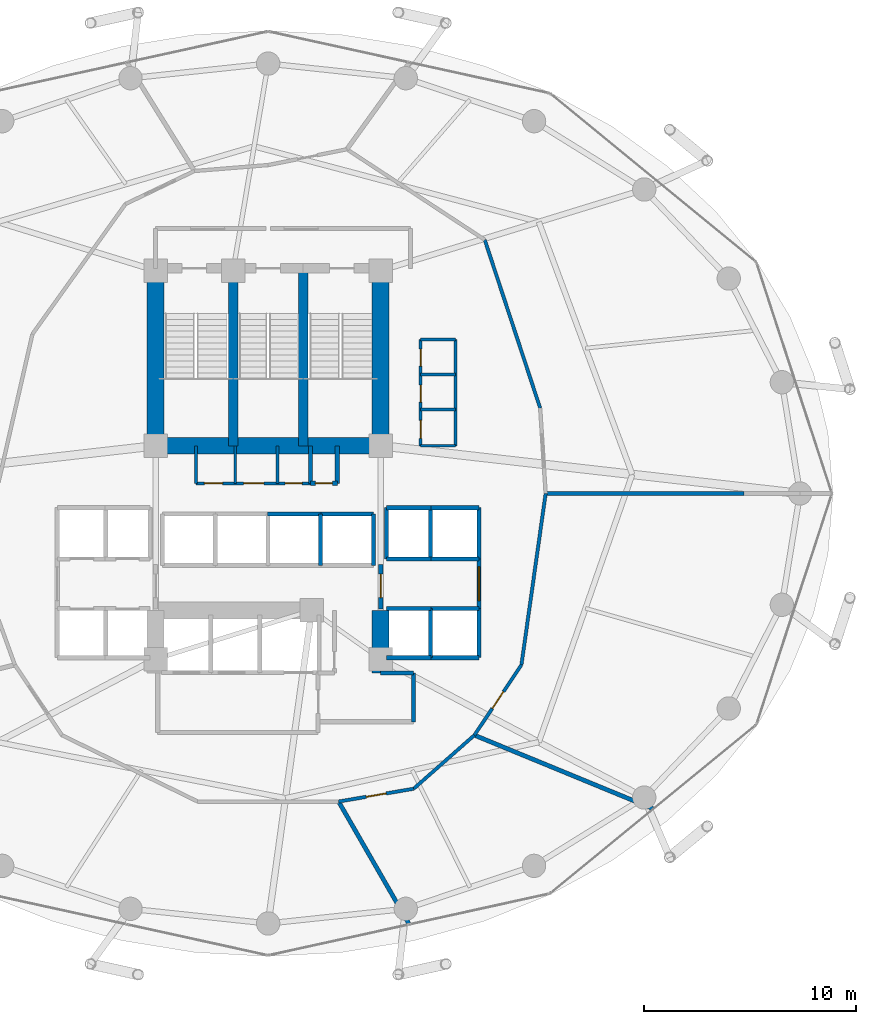
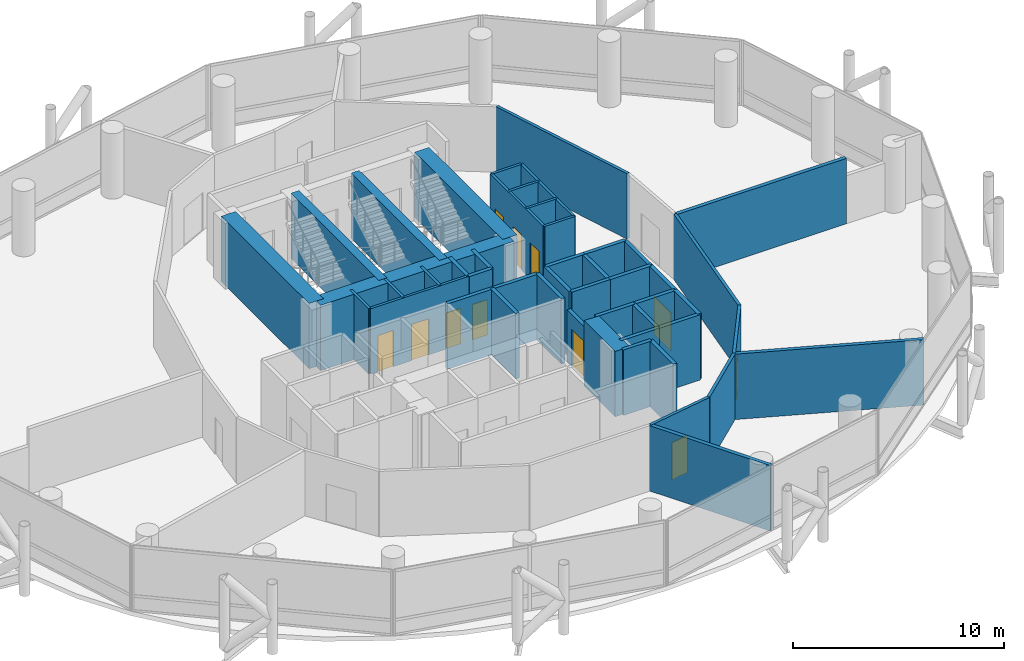
# One storey, part 22 of 24: 48 walls, 11 doors, 11 openings.
"""IFC4 building model written with IfcOpenShell, lengths in metres."""

from ifc_helpers import new_model, si_unit, direction, frame, frame_2d, origin, place, context, subcontext, project, spatial, rectangle, extrude, material, layer, layer_set, type_object, element, fill, save


model = new_model("IFC4")

# Units and contexts
model_context = context("Model", 3, precision=1e-05, world=origin(), true_north=direction((0.0, 1.0)))
body_context = subcontext(model_context, "Body", "Model", "MODEL_VIEW")
ifc_project = project(units=[si_unit("LENGTHUNIT", "METRE"), si_unit("AREAUNIT", "SQUARE_METRE"), si_unit("VOLUMEUNIT", "CUBIC_METRE"), si_unit("PLANEANGLEUNIT", "RADIAN"), si_unit("MASSUNIT", "GRAM", prefix="KILO")], contexts=[model_context])

# Site, building, storey
site_placement = place(None, origin())
site = spatial("IfcSite", under=ifc_project, at=site_placement, CompositionType="ELEMENT")
building_placement = place(site_placement, origin())
building = spatial("IfcBuilding", under=site, at=building_placement, Name="Nuhasar Tower", CompositionType="ELEMENT")
storey_placement = place(building_placement, frame((0.0, 0.0, 25.050048828125)))
storey = spatial("IfcBuildingStorey", under=building, at=storey_placement, Name="L05", CompositionType="ELEMENT", Elevation=25.050048828125)

# Walls
ifc_material_1 = material(Name="Concrete C50/60", Category="concrete")
ifc_layer_1 = layer(ifc_material_1, 0.449951171875)
ifc_layer_set_1 = layer_set([ifc_layer_1], Name="Concrete C50/60")
wall_type_1 = type_object("IfcWallType", Name="WL-CORE-450", PredefinedType="SHEAR", material=ifc_layer_set_1)
for number, where, z_axis, x_axis, name in (
    (1, (37.35009765625, 29.050048828125, 0.0), (0.0, 0.0, 1.0), (0.0, 1.0, 0.0), "L05 Stairwell Shear Wall ST01-E"),
    (2, (40.64990234375, 29.050048828125, 0.0), (0.0, 0.0, 1.0), (0.0, 1.0, 0.0), "L05 Stairwell Shear Wall ST03-E"),
):
    element("IfcWall", number, at=place(storey_placement, frame(where, z_axis=z_axis, x_axis=x_axis)), inside=storey, type_object=wall_type_1, Name=name, PredefinedType="SHEAR", context=body_context, shape_type="SweptSolid", body=[
        extrude(rectangle(XDim=8.349853515625, YDim=0.449951171875, at=frame_2d((4.1748046875, 0.0))), origin(), (0.0, 0.0, 1.0), 3.7900390625),
    ])
ifc_material_2 = material(Name="Concrete C80/95", Category="concrete")
ifc_layer_2 = layer(ifc_material_2, 0.800048828125)
ifc_layer_set_2 = layer_set([ifc_layer_2], Name="Concrete C80/95")
wall_type_2 = type_object("IfcWallType", Name="WL-CORE-800", PredefinedType="SHEAR", material=ifc_layer_set_2)
for number, where, z_axis, x_axis, name in (
    (3, (33.699951171875, 29.050048828125, 0.0), (0.0, 0.0, 1.0), (0.0, 1.0, 0.0), "L05 Core Shear Wall CW-NW CW-800"),
    (4, (44.300048828125, 29.050048828125, 0.0), (0.0, 0.0, 1.0), (0.0, 1.0, 0.0), "L05 Core Shear Wall CW-NE CW-800"),
):
    element("IfcWall", number, at=place(storey_placement, frame(where, z_axis=z_axis, x_axis=x_axis)), inside=storey, type_object=wall_type_2, Name=name, PredefinedType="SHEAR", context=body_context, shape_type="SweptSolid", body=[
        extrude(rectangle(XDim=8.349853515625, YDim=0.800048828125, at=frame_2d((4.1748046875, 0.0))), origin(), (0.0, 0.0, 1.0), 3.7900390625),
    ])
wall_1_placement = place(storey_placement, frame((44.300048828125, 18.35009765625, 0.0), z_axis=(0.0, 0.0, 1.0), x_axis=(0.0, 1.0, 0.0)))
element("IfcWall", 5, at=wall_1_placement, inside=storey, type_object=wall_type_2, Name="L05 Core Shear Wall CW-SE CW-800", PredefinedType="SHEAR", context=body_context, shape_type="SweptSolid", body=[
    extrude(rectangle(XDim=2.949951171875, YDim=0.800048828125, at=frame_2d((1.47509765625, 0.0))), origin(), (0.0, 0.0, 1.0), 3.7900390625),
])
wall_2_placement = place(storey_placement, frame((33.699951171875, 29.050048828125, 0.0), z_axis=(0.0, 0.0, 1.0), x_axis=(1.0, 0.0, 0.0)))
element("IfcWall", 6, at=wall_2_placement, inside=storey, type_object=wall_type_2, Name="L05 Core Shear Wall CW-N1 CW-800", PredefinedType="SHEAR", context=body_context, shape_type="SweptSolid", body=[
    extrude(rectangle(XDim=10.60009765625, YDim=0.800048828125, at=frame_2d((5.300048828125, 0.0))), origin(), (0.0, 0.0, 1.0), 3.7900390625),
])
ifc_material_3 = material(Name="Gypsum Board", Category="gypsum")
ifc_layer_3 = layer(ifc_material_3, 0.159912109375)
ifc_layer_set_3 = layer_set([ifc_layer_3], Name="Gypsum Board")
wall_type_3 = type_object("IfcWallType", Name="WL-CORR-160", PredefinedType="PARTITIONING", material=ifc_layer_set_3)
wall_3_placement = place(storey_placement, frame((51.81201171875, 30.822021484375, 0.0), z_axis=(0.0, 0.0, 1.0), x_axis=(-0.312751602659, 0.94983495147, 0.0)))
element("IfcWall", 7, at=wall_3_placement, inside=storey, type_object=wall_type_3, Name="L05 Interior Partition CORR-02", PredefinedType="PARTITIONING", context=body_context, shape_type="SweptSolid", body=[
    extrude(rectangle(XDim=8.3486328125, YDim=0.159912109375, at=frame_2d((4.17431640625, 0.0))), origin(), (0.0, 0.0, 1.0), 3.7900390625),
])

# Wall, opening, door
wall_4_placement = place(storey_placement, frame((45.85205078125, 12.89501953125, 0.0), z_axis=(0.0, 0.0, 1.0), x_axis=(-0.985751576779, -0.168207695658, 0.0)))
wall_4 = element("IfcWall", 8, at=wall_4_placement, inside=storey, type_object=wall_type_3, Name="L05 Interior Partition CORR-38", PredefinedType="PARTITIONING", context=body_context, shape_type="SweptSolid", body=[
    extrude(rectangle(XDim=3.5849609375, YDim=0.159912109375, at=frame_2d((1.79248046875, 0.0))), origin(), (0.0, 0.0, 1.0), 3.7900390625),
])
opening_1_placement = place(wall_4_placement, frame((1.318115234375, 0.0, 0.0)))
opening_1 = element("IfcOpeningElement", 9, at=opening_1_placement, cuts=wall_4, Name="Opening DO-01", PredefinedType="OPENING", context=body_context, shape_type="SweptSolid", body=[
    extrude(rectangle(XDim=0.949951171875, YDim=2.14990234375, at=frame_2d((0.47509765625, 1.074951171875))), frame((0.0, 0.08984375, 0.0), z_axis=(0.0, -1.0, 0.0), x_axis=(1.0, 0.0, 0.0)), (0.0, 0.0, 1.0), 0.179931640625),
])
ifc_material_4 = material(Name="Timber Oak", Category="wood")
door_type_1 = type_object("IfcDoorType", Name="DR-OFFICE-FD30-950", OperationType="NOTDEFINED", PredefinedType="DOOR", material=ifc_material_4)
door_1_placement = place(opening_1_placement, origin())
door_1 = element("IfcDoor", 10, at=door_1_placement, inside=storey, type_object=door_type_1, Name="L05 Client Wellness Lounge Entry Door", OperationType="SINGLE_SWING_RIGHT", OverallHeight=2.14990234375, OverallWidth=0.949951171875, PredefinedType="DOOR", context=body_context, shape_type="SweptSolid", body=[
    extrude(rectangle(XDim=0.949951171875, YDim=2.14990234375, at=frame_2d((0.47509765625, 1.074951171875))), frame((0.0, 0.02490234375, 0.0), z_axis=(0.0, -1.0, 0.0), x_axis=(1.0, 0.0, 0.0)), (0.0, 0.0, 1.0), 0.050048828125),
])
fill(opening_1, door_1)

# Wall
wall_5_placement = place(storey_placement, frame((45.85205078125, 12.89501953125, 0.0), z_axis=(0.0, 0.0, 1.0), x_axis=(0.75014962781, 0.661268127083, 0.0)))
element("IfcWall", 11, at=wall_5_placement, inside=storey, type_object=wall_type_3, Name="L05 Interior Partition CORR-40", PredefinedType="PARTITIONING", context=body_context, shape_type="SweptSolid", body=[
    extrude(rectangle(XDim=3.8154296875, YDim=0.159912109375, at=frame_2d((1.90771484375, 0.0))), origin(), (0.0, 0.0, 1.0), 3.7900390625),
])

# Wall, opening, door
wall_6_placement = place(storey_placement, frame((50.929931640625, 18.72998046875, 0.0), z_axis=(0.0, 0.0, 1.0), x_axis=(-0.556056751682, -0.831144324958, 0.0)))
wall_6 = element("IfcWall", 12, at=wall_6_placement, inside=storey, type_object=wall_type_3, Name="L05 Interior Partition CORR-42", PredefinedType="PARTITIONING", context=body_context, shape_type="SweptSolid", body=[
    extrude(rectangle(XDim=3.98486328125, YDim=0.159912109375, at=frame_2d((1.992431640625, 0.0))), origin(), (0.0, 0.0, 1.0), 3.7900390625),
])
opening_2_placement = place(wall_6_placement, frame((1.51708984375, 0.0, 0.0)))
opening_2 = element("IfcOpeningElement", 13, at=opening_2_placement, cuts=wall_6, Name="Opening DO-01", PredefinedType="OPENING", context=body_context, shape_type="SweptSolid", body=[
    extrude(rectangle(XDim=0.949951171875, YDim=2.14990234375, at=frame_2d((0.47509765625, 1.074951171875))), frame((0.0, 0.08984375, 0.0), z_axis=(0.0, -1.0, 0.0), x_axis=(1.0, 0.0, 0.0)), (0.0, 0.0, 1.0), 0.179931640625),
])
door_2_placement = place(opening_2_placement, origin())
door_2 = element("IfcDoor", 14, at=door_2_placement, inside=storey, type_object=door_type_1, Name="L05 Tenant Archive Store Entry Door", OperationType="SINGLE_SWING_RIGHT", OverallHeight=2.14990234375, OverallWidth=0.949951171875, PredefinedType="DOOR", context=body_context, shape_type="SweptSolid", body=[
    extrude(rectangle(XDim=0.949951171875, YDim=2.14990234375, at=frame_2d((0.47509765625, 1.074951171875))), frame((0.0, 0.02490234375, 0.0), z_axis=(0.0, -1.0, 0.0), x_axis=(1.0, 0.0, 0.0)), (0.0, 0.0, 1.0), 0.050048828125),
])
fill(opening_2, door_2)

# Wall
wall_7_placement = place(storey_placement, frame((50.929931640625, 18.72998046875, 0.0), z_axis=(0.0, 0.0, 1.0), x_axis=(0.139890479785, 0.990166982718, 0.0)))
element("IfcWall", 15, at=wall_7_placement, inside=storey, type_object=wall_type_3, Name="L05 Interior Partition CORR-44", PredefinedType="PARTITIONING", context=body_context, shape_type="SweptSolid", body=[
    extrude(rectangle(XDim=8.150146484375, YDim=0.159912109375, at=frame_2d((4.0751953125, 0.0))), origin(), (0.0, 0.0, 1.0), 3.7900390625),
])

# Wall, opening, door
ifc_material_5 = material(Name="Concrete C45/55", Category="concrete")
ifc_layer_4 = layer(ifc_material_5, 0.199951171875)
ifc_layer_set_4 = layer_set([ifc_layer_4], Name="Concrete C45/55")
wall_type_4 = type_object("IfcWallType", Name="WL-LOBBY-200", PredefinedType="SOLIDWALL", material=ifc_layer_set_4)
wall_8_placement = place(storey_placement, frame((48.929931640625, 21.3798828125, 0.0), z_axis=(0.0, 0.0, 1.0), x_axis=(0.0, 1.0, 0.0)))
wall_8 = element("IfcWall", 16, at=wall_8_placement, inside=storey, type_object=wall_type_4, Name="L05 Interior Partition LLBM-E", PredefinedType="SOLIDWALL", context=body_context, shape_type="SweptSolid", body=[
    extrude(rectangle(XDim=2.340087890625, YDim=0.199951171875, at=frame_2d((1.169921875, 0.0))), origin(), (0.0, 0.0, 1.0), 3.7900390625),
])
opening_3_placement = place(wall_8_placement, frame((0.3701171875, 0.0, 0.0)))
opening_3 = element("IfcOpeningElement", 17, at=opening_3_placement, cuts=wall_8, Name="Opening DC-01", PredefinedType="OPENING", context=body_context, shape_type="SweptSolid", body=[
    extrude(rectangle(XDim=1.60009765625, YDim=2.199951171875, at=frame_2d((0.800048828125, 1.10009765625))), frame((0.0, 0.10986328125, 0.0), z_axis=(0.0, -1.0, 0.0), x_axis=(1.0, 0.0, 0.0)), (0.0, 0.0, 1.0), 0.219970703125),
])
ifc_material_6 = material(Name="Steel S355", Category="steel")
door_type_2 = type_object("IfcDoorType", Name="DR-CORR-FD60-1600", OperationType="DOUBLE_DOOR_SINGLE_SWING", PredefinedType="DOOR", material=ifc_material_6)
door_3_placement = place(opening_3_placement, origin())
door_3 = element("IfcDoor", 18, at=door_3_placement, inside=storey, type_object=door_type_2, Name="L05 Mid-Rise Lift Lobby East Entry", OperationType="DOUBLE_DOOR_SINGLE_SWING", OverallHeight=2.199951171875, OverallWidth=1.60009765625, PredefinedType="DOOR", context=body_context, shape_type="SweptSolid", body=[
    extrude(rectangle(XDim=1.60009765625, YDim=2.199951171875, at=frame_2d((0.800048828125, 1.10009765625))), frame((0.0, 0.02490234375, 0.0), z_axis=(0.0, -1.0, 0.0), x_axis=(1.0, 0.0, 0.0)), (0.0, 0.0, 1.0), 0.050048828125),
])
fill(opening_3, door_3)

wall_9_placement = place(storey_placement, frame((44.300048828125, 21.35009765625, 0.0), z_axis=(0.0, 0.0, 1.0), x_axis=(0.0, 1.0, 0.0)))
wall_9 = element("IfcWall", 19, at=wall_9_placement, inside=storey, type_object=wall_type_4, Name="L05 Interior Partition LLBH-E", PredefinedType="SOLIDWALL", context=body_context, shape_type="SweptSolid", body=[
    extrude(rectangle(XDim=2.099853515625, YDim=0.199951171875, at=frame_2d((1.0498046875, 0.0))), origin(), (0.0, 0.0, 1.0), 3.010009765625),
])
opening_4_placement = place(wall_9_placement, frame((0.550048828125, 0.0, 0.0)))
opening_4 = element("IfcOpeningElement", 20, at=opening_4_placement, cuts=wall_9, Name="Opening DS-02", PredefinedType="OPENING", context=body_context, shape_type="SweptSolid", body=[
    extrude(rectangle(XDim=1.10009765625, YDim=2.14990234375, at=frame_2d((0.550048828125, 1.074951171875))), frame((0.0, 0.10986328125, 0.0), z_axis=(0.0, -1.0, 0.0), x_axis=(1.0, 0.0, 0.0)), (0.0, 0.0, 1.0), 0.219970703125),
])
door_type_3 = type_object("IfcDoorType", Name="DR-FFL-FD120-1100", OperationType="NOTDEFINED", PredefinedType="DOOR", material=ifc_material_6)
door_4_placement = place(opening_4_placement, origin())
door_4 = element("IfcDoor", 21, at=door_4_placement, inside=storey, type_object=door_type_3, Name="L05 High-Rise Lobby East Door", OperationType="SINGLE_SWING_RIGHT", OverallHeight=2.14990234375, OverallWidth=1.10009765625, PredefinedType="DOOR", context=body_context, shape_type="SweptSolid", body=[
    extrude(rectangle(XDim=1.10009765625, YDim=2.14990234375, at=frame_2d((0.550048828125, 1.074951171875))), frame((0.0, 0.02490234375, 0.0), z_axis=(0.0, -1.0, 0.0), x_axis=(1.0, 0.0, 0.0)), (0.0, 0.0, 1.0), 0.050048828125),
])
fill(opening_4, door_4)

# Walls
wall_10_placement = place(storey_placement, frame((45.85009765625, 16.050048828125, 0.0), z_axis=(0.0, 0.0, 1.0), x_axis=(0.0, 1.0, 0.0)))
element("IfcWall", 22, at=wall_10_placement, inside=storey, type_object=wall_type_4, Name="L05 Interior Partition SVLV-E", PredefinedType="SOLIDWALL", context=body_context, shape_type="SweptSolid", body=[
    extrude(rectangle(XDim=2.300048828125, YDim=0.199951171875, at=frame_2d((1.14990234375, 0.0))), origin(), (0.0, 0.0, 1.0), 3.7900390625),
])
wall_11_placement = place(storey_placement, frame((44.300048828125, 18.35009765625, 0.0), z_axis=(0.0, 0.0, 1.0), x_axis=(1.0, 0.0, 0.0)))
element("IfcWall", 23, at=wall_11_placement, inside=storey, type_object=wall_type_4, Name="L05 Interior Partition SVLV-N", PredefinedType="SOLIDWALL", context=body_context, shape_type="SweptSolid", body=[
    extrude(rectangle(XDim=1.550048828125, YDim=0.199951171875, at=frame_2d((0.77490234375, 0.0))), origin(), (0.0, 0.0, 1.0), 3.7900390625),
])
ifc_layer_5 = layer(ifc_material_5, 0.199951171875)
ifc_layer_set_5 = layer_set([ifc_layer_5], Name="Concrete C45/55")
wall_type_5 = type_object("IfcWallType", Name="WL-SHAFT-200", PredefinedType="SOLIDWALL", material=ifc_layer_set_5)
for number, where, z_axis, x_axis, name in (
    (24, (41.0, 27.280029296875, 0.0), (0.0, 0.0, 1.0), (0.0, 1.0, 0.0), "L05 Interior Partition RSRN-W"),
    (25, (42.260009765625, 27.280029296875, 0.0), (0.0, 0.0, 1.0), (0.0, 1.0, 0.0), "L05 Interior Partition RSRN-E"),
):
    element("IfcWall", number, at=place(storey_placement, frame(where, z_axis=z_axis, x_axis=x_axis)), inside=storey, type_object=wall_type_5, Name=name, PredefinedType="SOLIDWALL", context=body_context, shape_type="SweptSolid", body=[
        extrude(rectangle(XDim=1.77001953125, YDim=0.199951171875, at=frame_2d((0.885009765625, 0.0))), origin(), (0.0, 0.0, 1.0), 3.7900390625),
    ])

# Wall, opening, door
wall_12_placement = place(storey_placement, frame((41.0, 27.280029296875, 0.0), z_axis=(0.0, 0.0, 1.0), x_axis=(1.0, 0.0, 0.0)))
wall_12 = element("IfcWall", 26, at=wall_12_placement, inside=storey, type_object=wall_type_5, Name="L05 Interior Partition RSRN-S", PredefinedType="SOLIDWALL", context=body_context, shape_type="SweptSolid", body=[
    extrude(rectangle(XDim=1.260009765625, YDim=0.199951171875, at=frame_2d((0.6298828125, 0.0))), origin(), (0.0, 0.0, 1.0), 3.7900390625),
])
opening_5_placement = place(wall_12_placement, frame((0.22998046875, 0.0, 0.0)))
opening_5 = element("IfcOpeningElement", 27, at=opening_5_placement, cuts=wall_12, Name="Opening DM-01", PredefinedType="OPENING", context=body_context, shape_type="SweptSolid", body=[
    extrude(rectangle(XDim=0.800048828125, YDim=2.050048828125, at=frame_2d((0.39990234375, 1.02490234375))), frame((0.0, 0.10986328125, 0.0), z_axis=(0.0, -1.0, 0.0), x_axis=(1.0, 0.0, 0.0)), (0.0, 0.0, 1.0), 0.219970703125),
])
door_type_4 = type_object("IfcDoorType", Name="DR-RISER-FD60-800", OperationType="NOTDEFINED", PredefinedType="DOOR", material=ifc_material_6)
door_5_placement = place(opening_5_placement, origin())
door_5 = element("IfcDoor", 28, at=door_5_placement, inside=storey, type_object=door_type_4, Name="L05 North Smoke Riser Door", OperationType="SINGLE_SWING_RIGHT", OverallHeight=2.050048828125, OverallWidth=0.800048828125, PredefinedType="DOOR", context=body_context, shape_type="SweptSolid", body=[
    extrude(rectangle(XDim=0.800048828125, YDim=2.050048828125, at=frame_2d((0.39990234375, 1.02490234375))), frame((0.0, 0.02490234375, 0.0), z_axis=(0.0, -1.0, 0.0), x_axis=(1.0, 0.0, 0.0)), (0.0, 0.0, 1.0), 0.050048828125),
])
fill(opening_5, door_5)

# Walls
for number, where, z_axis, x_axis, name in (
    (29, (44.570068359375, 23.719970703125, 0.0), (0.0, 0.0, 1.0), (1.0, 0.0, 0.0), "L05 Interior Partition SHF-PL-M01-S"),
    (30, (44.570068359375, 26.1298828125, 0.0), (0.0, 0.0, 1.0), (1.0, 0.0, 0.0), "L05 Interior Partition SHF-PL-M01-N"),
):
    element("IfcWall", number, at=place(storey_placement, frame(where, z_axis=z_axis, x_axis=x_axis)), inside=storey, type_object=wall_type_5, Name=name, PredefinedType="SOLIDWALL", context=body_context, shape_type="SweptSolid", body=[
        extrude(rectangle(XDim=2.10986328125, YDim=0.199951171875, at=frame_2d((1.054931640625, 0.0))), origin(), (0.0, 0.0, 1.0), 3.7900390625),
    ])
for number, where, z_axis, x_axis, name in (
    (31, (44.570068359375, 23.719970703125, 0.0), (0.0, 0.0, 1.0), (0.0, 1.0, 0.0), "L05 Interior Partition SHF-PL-M01-W"),
    (32, (46.64990234375, 23.719970703125, 0.0), (0.0, 0.0, 1.0), (0.0, 1.0, 0.0), "L05 Interior Partition SHF-PL-M01-E"),
):
    element("IfcWall", number, at=place(storey_placement, frame(where, z_axis=z_axis, x_axis=x_axis)), inside=storey, type_object=wall_type_5, Name=name, PredefinedType="SOLIDWALL", context=body_context, shape_type="SweptSolid", body=[
        extrude(rectangle(XDim=2.409912109375, YDim=0.199951171875, at=frame_2d((1.205078125, 0.0))), origin(), (0.0, 0.0, 1.0), 3.7900390625),
    ])
for number, where, z_axis, x_axis, name in (
    (33, (46.6201171875, 23.719970703125, 0.0), (0.0, 0.0, 1.0), (1.0, 0.0, 0.0), "L05 Interior Partition SHF-PL-M02-S"),
    (34, (46.6201171875, 26.1298828125, 0.0), (0.0, 0.0, 1.0), (1.0, 0.0, 0.0), "L05 Interior Partition SHF-PL-M02-N"),
):
    element("IfcWall", number, at=place(storey_placement, frame(where, z_axis=z_axis, x_axis=x_axis)), inside=storey, type_object=wall_type_5, Name=name, PredefinedType="SOLIDWALL", context=body_context, shape_type="SweptSolid", body=[
        extrude(rectangle(XDim=2.309814453125, YDim=0.199951171875, at=frame_2d((1.15478515625, 0.0))), origin(), (0.0, 0.0, 1.0), 3.7900390625),
    ])
wall_13_placement = place(storey_placement, frame((48.929931640625, 23.719970703125, 0.0), z_axis=(0.0, 0.0, 1.0), x_axis=(0.0, 1.0, 0.0)))
element("IfcWall", 35, at=wall_13_placement, inside=storey, type_object=wall_type_5, Name="L05 Interior Partition SHF-PL-M02-E", PredefinedType="SOLIDWALL", context=body_context, shape_type="SweptSolid", body=[
    extrude(rectangle(XDim=2.409912109375, YDim=0.199951171875, at=frame_2d((1.205078125, 0.0))), origin(), (0.0, 0.0, 1.0), 3.7900390625),
])
for number, where, z_axis, x_axis, name in (
    (36, (44.570068359375, 19.070068359375, 0.0), (0.0, 0.0, 1.0), (1.0, 0.0, 0.0), "L05 Interior Partition SHF-PL-M03-S"),
    (37, (44.570068359375, 21.3798828125, 0.0), (0.0, 0.0, 1.0), (1.0, 0.0, 0.0), "L05 Interior Partition SHF-PL-M03-N"),
):
    element("IfcWall", number, at=place(storey_placement, frame(where, z_axis=z_axis, x_axis=x_axis)), inside=storey, type_object=wall_type_5, Name=name, PredefinedType="SOLIDWALL", context=body_context, shape_type="SweptSolid", body=[
        extrude(rectangle(XDim=2.10986328125, YDim=0.199951171875, at=frame_2d((1.054931640625, 0.0))), origin(), (0.0, 0.0, 1.0), 3.7900390625),
    ])
for number, where, z_axis, x_axis, name in (
    (38, (46.64990234375, 19.070068359375, 0.0), (0.0, 0.0, 1.0), (0.0, 1.0, 0.0), "L05 Interior Partition SHF-PL-M03-E"),
    (39, (46.6201171875, 19.070068359375, 0.0), (0.0, 0.0, 1.0), (1.0, 0.0, 0.0), "L05 Interior Partition SHF-PL-M04-S"),
    (40, (46.6201171875, 21.3798828125, 0.0), (0.0, 0.0, 1.0), (1.0, 0.0, 0.0), "L05 Interior Partition SHF-PL-M04-N"),
    (41, (48.929931640625, 19.070068359375, 0.0), (0.0, 0.0, 1.0), (0.0, 1.0, 0.0), "L05 Interior Partition SHF-PL-M04-E"),
):
    element("IfcWall", number, at=place(storey_placement, frame(where, z_axis=z_axis, x_axis=x_axis)), inside=storey, type_object=wall_type_5, Name=name, PredefinedType="SOLIDWALL", context=body_context, shape_type="SweptSolid", body=[
        extrude(rectangle(XDim=2.309814453125, YDim=0.199951171875, at=frame_2d((1.15478515625, 0.0))), origin(), (0.0, 0.0, 1.0), 3.7900390625),
    ])
wall_14_placement = place(storey_placement, frame((38.97998046875, 25.830078125, 0.0), z_axis=(0.0, 0.0, 1.0), x_axis=(1.0, 0.0, 0.0)))
element("IfcWall", 42, at=wall_14_placement, inside=storey, type_object=wall_type_5, Name="L05 Interior Partition SHF-PL-H03-N", PredefinedType="SOLIDWALL", context=body_context, shape_type="SweptSolid", body=[
    extrude(rectangle(XDim=2.5, YDim=0.199951171875, at=frame_2d((1.25, 0.0))), origin(), (0.0, 0.0, 1.0), 3.7900390625),
])
wall_15_placement = place(storey_placement, frame((41.469970703125, 23.419921875, 0.0), z_axis=(0.0, 0.0, 1.0), x_axis=(0.0, 1.0, 0.0)))
element("IfcWall", 43, at=wall_15_placement, inside=storey, type_object=wall_type_5, Name="L05 Interior Partition SHF-PL-H03-E", PredefinedType="SOLIDWALL", context=body_context, shape_type="SweptSolid", body=[
    extrude(rectangle(XDim=2.41015625, YDim=0.199951171875, at=frame_2d((1.205078125, 0.0))), origin(), (0.0, 0.0, 1.0), 3.7900390625),
])
wall_16_placement = place(storey_placement, frame((41.4599609375, 25.830078125, 0.0), z_axis=(0.0, 0.0, 1.0), x_axis=(1.0, 0.0, 0.0)))
element("IfcWall", 44, at=wall_16_placement, inside=storey, type_object=wall_type_5, Name="L05 Interior Partition SHF-PL-H04-N", PredefinedType="SOLIDWALL", context=body_context, shape_type="SweptSolid", body=[
    extrude(rectangle(XDim=2.5, YDim=0.199951171875, at=frame_2d((1.25, 0.0))), origin(), (0.0, 0.0, 1.0), 3.7900390625),
])
wall_17_placement = place(storey_placement, frame((43.9599609375, 23.419921875, 0.0), z_axis=(0.0, 0.0, 1.0), x_axis=(0.0, 1.0, 0.0)))
element("IfcWall", 45, at=wall_17_placement, inside=storey, type_object=wall_type_5, Name="L05 Interior Partition SHF-PL-H04-E", PredefinedType="SOLIDWALL", context=body_context, shape_type="SweptSolid", body=[
    extrude(rectangle(XDim=2.41015625, YDim=0.199951171875, at=frame_2d((1.205078125, 0.0))), origin(), (0.0, 0.0, 1.0), 3.7900390625),
])
ifc_material_7 = material(Name="Concrete C40/50 precast", Category="concrete")
ifc_layer_6 = layer(ifc_material_7, 0.199951171875)
ifc_layer_set_6 = layer_set([ifc_layer_6], Name="Concrete C40/50 precast")
wall_type_6 = type_object("IfcWallType", Name="WL-UNIT-200", PredefinedType="PARTITIONING", material=ifc_layer_set_6)
wall_18_placement = place(storey_placement, frame((52.070068359375, 26.800048828125, 0.0), z_axis=(0.0, 0.0, 1.0), x_axis=(1.0, 0.0, 0.0)))
element("IfcWall", 46, at=wall_18_placement, inside=storey, type_object=wall_type_6, Name="L05 Interior Partition ORAD-00", PredefinedType="PARTITIONING", context=body_context, shape_type="SweptSolid", body=[
    extrude(rectangle(XDim=9.330810546875, YDim=0.199951171875, at=frame_2d((4.66552734375, 0.0))), origin(), (0.0, 0.0, 1.0), 3.7900390625),
])
wall_19_placement = place(storey_placement, frame((42.318115234375, 12.2919921875, 0.0), z_axis=(0.0, 0.0, 1.0), x_axis=(0.498565662125, -0.866851936925, 0.0)))
element("IfcWall", 47, at=wall_19_placement, inside=storey, type_object=wall_type_6, Name="L05 Interior Partition ORAD-38", PredefinedType="PARTITIONING", context=body_context, shape_type="SweptSolid", body=[
    extrude(rectangle(XDim=6.64697265625, YDim=0.199951171875, at=frame_2d((3.323486328125, 0.0))), origin(), (0.0, 0.0, 1.0), 3.7900390625),
])
wall_20_placement = place(storey_placement, frame((48.714111328125, 15.41796875, 0.0), z_axis=(0.0, 0.0, 1.0), x_axis=(0.924792688949, -0.38047139507, 0.0)))
element("IfcWall", 48, at=wall_20_placement, inside=storey, type_object=wall_type_6, Name="L05 Interior Partition ORAD-42", PredefinedType="PARTITIONING", context=body_context, shape_type="SweptSolid", body=[
    extrude(rectangle(XDim=9.086181640625, YDim=0.199951171875, at=frame_2d((4.54296875, 0.0))), origin(), (0.0, 0.0, 1.0), 3.7900390625),
])
ifc_layer_7 = layer(ifc_material_7, 0.139892578125)
ifc_layer_set_7 = layer_set([ifc_layer_7], Name="Concrete C40/50 precast")
wall_type_7 = type_object("IfcWallType", Name="WL-WET-140", PredefinedType="PARTITIONING", material=ifc_layer_set_7)
wall_21_placement = place(storey_placement, frame((35.60009765625, 27.280029296875, 0.0), z_axis=(0.0, 0.0, 1.0), x_axis=(0.0, 1.0, 0.0)))
element("IfcWall", 49, at=wall_21_placement, inside=storey, type_object=wall_type_7, Name="L05 Interior Partition CSVC-W", PredefinedType="PARTITIONING", context=body_context, shape_type="SweptSolid", body=[
    extrude(rectangle(XDim=1.77001953125, YDim=0.139892578125, at=frame_2d((0.885009765625, 0.0))), origin(), (0.0, 0.0, 1.0), 3.7900390625),
])

# Wall, openings, doors
wall_22_placement = place(storey_placement, frame((35.60009765625, 27.280029296875, 0.0), z_axis=(0.0, 0.0, 1.0), x_axis=(1.0, 0.0, 0.0)))
wall_22 = element("IfcWall", 50, at=wall_22_placement, inside=storey, type_object=wall_type_7, Name="L05 Interior Partition CSVC-S", PredefinedType="PARTITIONING", context=body_context, shape_type="SweptSolid", body=[
    extrude(rectangle(XDim=5.39990234375, YDim=0.139892578125, at=frame_2d((2.699951171875, 0.0))), origin(), (0.0, 0.0, 1.0), 3.7900390625),
])
opening_6_placement = place(wall_22_placement, frame((0.39990234375, 0.0, 0.0)))
opening_6 = element("IfcOpeningElement", 51, at=opening_6_placement, cuts=wall_22, Name="Opening DB-01", PredefinedType="OPENING", context=body_context, shape_type="SweptSolid", body=[
    extrude(rectangle(XDim=0.85009765625, YDim=2.10009765625, at=frame_2d((0.425048828125, 1.050048828125))), frame((0.0, 0.080078125, 0.0), z_axis=(0.0, -1.0, 0.0), x_axis=(1.0, 0.0, 0.0)), (0.0, 0.0, 1.0), 0.159912109375),
])
opening_7_placement = place(wall_22_placement, frame((2.25, 0.0, 0.0)))
opening_7 = element("IfcOpeningElement", 52, at=opening_7_placement, cuts=wall_22, Name="Opening DA-01", PredefinedType="OPENING", context=body_context, shape_type="SweptSolid", body=[
    extrude(rectangle(XDim=0.949951171875, YDim=2.10009765625, at=frame_2d((0.47509765625, 1.050048828125))), frame((0.0, 0.080078125, 0.0), z_axis=(0.0, -1.0, 0.0), x_axis=(1.0, 0.0, 0.0)), (0.0, 0.0, 1.0), 0.159912109375),
])
opening_8_placement = place(wall_22_placement, frame((4.199951171875, 0.0, 0.0)))
opening_8 = element("IfcOpeningElement", 53, at=opening_8_placement, cuts=wall_22, Name="Opening DM-01", PredefinedType="OPENING", context=body_context, shape_type="SweptSolid", body=[
    extrude(rectangle(XDim=0.800048828125, YDim=2.050048828125, at=frame_2d((0.39990234375, 1.02490234375))), frame((0.0, 0.080078125, 0.0), z_axis=(0.0, -1.0, 0.0), x_axis=(1.0, 0.0, 0.0)), (0.0, 0.0, 1.0), 0.159912109375),
])
door_type_5 = type_object("IfcDoorType", Name="DR-ACCWC-950", OperationType="NOTDEFINED", PredefinedType="DOOR", material=ifc_material_4)
door_6_placement = place(opening_7_placement, origin())
door_6 = element("IfcDoor", 54, at=door_6_placement, inside=storey, type_object=door_type_5, Name="L05 Core Accessible WC Door", OperationType="SINGLE_SWING_RIGHT", OverallHeight=2.10009765625, OverallWidth=0.949951171875, PredefinedType="DOOR", context=body_context, shape_type="SweptSolid", body=[
    extrude(rectangle(XDim=0.949951171875, YDim=2.10009765625, at=frame_2d((0.47509765625, 1.050048828125))), frame((0.0, 0.02490234375, 0.0), z_axis=(0.0, -1.0, 0.0), x_axis=(1.0, 0.0, 0.0)), (0.0, 0.0, 1.0), 0.050048828125),
])
fill(opening_7, door_6)
door_type_6 = type_object("IfcDoorType", Name="DR-BATH-850", OperationType="NOTDEFINED", PredefinedType="DOOR", material=ifc_material_4)
door_7_placement = place(opening_6_placement, origin())
door_7 = element("IfcDoor", 55, at=door_7_placement, inside=storey, type_object=door_type_6, Name="L05 Core Male WC Door", OperationType="SINGLE_SWING_LEFT", OverallHeight=2.10009765625, OverallWidth=0.85009765625, PredefinedType="DOOR", context=body_context, shape_type="SweptSolid", body=[
    extrude(rectangle(XDim=0.85009765625, YDim=2.10009765625, at=frame_2d((0.425048828125, 1.050048828125))), frame((0.0, 0.02490234375, 0.0), z_axis=(0.0, -1.0, 0.0), x_axis=(1.0, 0.0, 0.0)), (0.0, 0.0, 1.0), 0.050048828125),
])
fill(opening_6, door_7)
door_8_placement = place(opening_8_placement, origin())
door_8 = element("IfcDoor", 56, at=door_8_placement, inside=storey, type_object=door_type_4, Name="L05 Core Janitor Door", OperationType="SINGLE_SWING_RIGHT", OverallHeight=2.050048828125, OverallWidth=0.800048828125, PredefinedType="DOOR", context=body_context, shape_type="SweptSolid", body=[
    extrude(rectangle(XDim=0.800048828125, YDim=2.050048828125, at=frame_2d((0.39990234375, 1.02490234375))), frame((0.0, 0.02490234375, 0.0), z_axis=(0.0, -1.0, 0.0), x_axis=(1.0, 0.0, 0.0)), (0.0, 0.0, 1.0), 0.050048828125),
])
fill(opening_8, door_8)

# Walls
for number, where, z_axis, x_axis, name in (
    (57, (37.449951171875, 27.280029296875, 0.0), (0.0, 0.0, 1.0), (0.0, 1.0, 0.0), "L05 Interior Partition K1-P1"),
    (58, (39.449951171875, 27.280029296875, 0.0), (0.0, 0.0, 1.0), (0.0, 1.0, 0.0), "L05 Interior Partition K1-P2"),
):
    element("IfcWall", number, at=place(storey_placement, frame(where, z_axis=z_axis, x_axis=x_axis)), inside=storey, type_object=wall_type_7, Name=name, PredefinedType="PARTITIONING", context=body_context, shape_type="SweptSolid", body=[
        extrude(rectangle(XDim=1.77001953125, YDim=0.139892578125, at=frame_2d((0.885009765625, 0.0))), origin(), (0.0, 0.0, 1.0), 3.7900390625),
    ])

# Wall, openings, doors
wall_23_placement = place(storey_placement, frame((46.179931640625, 34.050048828125, 0.0), z_axis=(0.0, 0.0, 1.0), x_axis=(0.0, -1.0, 0.0)))
wall_23 = element("IfcWall", 59, at=wall_23_placement, inside=storey, type_object=wall_type_7, Name="L05 Interior Partition K1-NE-W", PredefinedType="PARTITIONING", context=body_context, shape_type="SweptSolid", body=[
    extrude(rectangle(XDim=5.0, YDim=0.139892578125, at=frame_2d((2.5, 0.0))), origin(), (0.0, 0.0, 1.0), 3.7900390625),
])
opening_9_placement = place(wall_23_placement, frame((3.800048828125, 0.0, 0.0)))
opening_9 = element("IfcOpeningElement", 60, at=opening_9_placement, cuts=wall_23, Name="Opening DB-01", PredefinedType="OPENING", context=body_context, shape_type="SweptSolid", body=[
    extrude(rectangle(XDim=0.85009765625, YDim=2.10009765625, at=frame_2d((0.425048828125, 1.050048828125))), frame((0.0, 0.080078125, 0.0), z_axis=(0.0, -1.0, 0.0), x_axis=(1.0, 0.0, 0.0)), (0.0, 0.0, 1.0), 0.159912109375),
])
opening_10_placement = place(wall_23_placement, frame((2.14990234375, 0.0, 0.0)))
opening_10 = element("IfcOpeningElement", 61, at=opening_10_placement, cuts=wall_23, Name="Opening DM-01", PredefinedType="OPENING", context=body_context, shape_type="SweptSolid", body=[
    extrude(rectangle(XDim=0.800048828125, YDim=2.050048828125, at=frame_2d((0.39990234375, 1.02490234375))), frame((0.0, 0.080078125, 0.0), z_axis=(0.0, -1.0, 0.0), x_axis=(1.0, 0.0, 0.0)), (0.0, 0.0, 1.0), 0.159912109375),
])
opening_11_placement = place(wall_23_placement, frame((0.449951171875, 0.0, 0.0)))
opening_11 = element("IfcOpeningElement", 62, at=opening_11_placement, cuts=wall_23, Name="Opening DM-01", PredefinedType="OPENING", context=body_context, shape_type="SweptSolid", body=[
    extrude(rectangle(XDim=0.800048828125, YDim=2.050048828125, at=frame_2d((0.39990234375, 1.02490234375))), frame((0.0, 0.080078125, 0.0), z_axis=(0.0, -1.0, 0.0), x_axis=(1.0, 0.0, 0.0)), (0.0, 0.0, 1.0), 0.159912109375),
])
door_9_placement = place(opening_9_placement, origin())
door_9 = element("IfcDoor", 63, at=door_9_placement, inside=storey, type_object=door_type_6, Name="L05 NE Female WC Door", OperationType="SINGLE_SWING_RIGHT", OverallHeight=2.10009765625, OverallWidth=0.85009765625, PredefinedType="DOOR", context=body_context, shape_type="SweptSolid", body=[
    extrude(rectangle(XDim=0.85009765625, YDim=2.10009765625, at=frame_2d((0.425048828125, 1.050048828125))), frame((0.0, 0.02490234375, 0.0), z_axis=(0.0, -1.0, 0.0), x_axis=(1.0, 0.0, 0.0)), (0.0, 0.0, 1.0), 0.050048828125),
])
fill(opening_9, door_9)
door_10_placement = place(opening_10_placement, origin())
door_10 = element("IfcDoor", 64, at=door_10_placement, inside=storey, type_object=door_type_4, Name="L05 NE Meter Door", OperationType="SINGLE_SWING_RIGHT", OverallHeight=2.050048828125, OverallWidth=0.800048828125, PredefinedType="DOOR", context=body_context, shape_type="SweptSolid", body=[
    extrude(rectangle(XDim=0.800048828125, YDim=2.050048828125, at=frame_2d((0.39990234375, 1.02490234375))), frame((0.0, 0.02490234375, 0.0), z_axis=(0.0, -1.0, 0.0), x_axis=(1.0, 0.0, 0.0)), (0.0, 0.0, 1.0), 0.050048828125),
])
fill(opening_10, door_10)
door_11_placement = place(opening_11_placement, origin())
door_11 = element("IfcDoor", 65, at=door_11_placement, inside=storey, type_object=door_type_4, Name="L05 NE Telecom Door", OperationType="SINGLE_SWING_LEFT", OverallHeight=2.050048828125, OverallWidth=0.800048828125, PredefinedType="DOOR", context=body_context, shape_type="SweptSolid", body=[
    extrude(rectangle(XDim=0.800048828125, YDim=2.050048828125, at=frame_2d((0.39990234375, 1.02490234375))), frame((0.0, 0.02490234375, 0.0), z_axis=(0.0, -1.0, 0.0), x_axis=(1.0, 0.0, 0.0)), (0.0, 0.0, 1.0), 0.050048828125),
])
fill(opening_11, door_11)

# Walls
for number, where, z_axis, x_axis, name in (
    (66, (46.179931640625, 29.050048828125, 0.0), (0.0, 0.0, 1.0), (1.0, 0.0, 0.0), "L05 Interior Partition K1-NE-S"),
    (67, (46.179931640625, 30.75, 0.0), (0.0, 0.0, 1.0), (1.0, 0.0, 0.0), "L05 Interior Partition K1-NE-M1"),
    (68, (46.179931640625, 32.39990234375, 0.0), (0.0, 0.0, 1.0), (1.0, 0.0, 0.0), "L05 Interior Partition K1-NE-M2"),
    (69, (46.179931640625, 34.050048828125, 0.0), (0.0, 0.0, 1.0), (1.0, 0.0, 0.0), "L05 Interior Partition K1-NE-N"),
):
    element("IfcWall", number, at=place(storey_placement, frame(where, z_axis=z_axis, x_axis=x_axis)), inside=storey, type_object=wall_type_7, Name=name, PredefinedType="PARTITIONING", context=body_context, shape_type="SweptSolid", body=[
        extrude(rectangle(XDim=1.64013671875, YDim=0.139892578125, at=frame_2d((0.820068359375, 0.0))), origin(), (0.0, 0.0, 1.0), 3.7900390625),
    ])
wall_24_placement = place(storey_placement, frame((47.820068359375, 29.050048828125, 0.0), z_axis=(0.0, 0.0, 1.0), x_axis=(0.0, 1.0, 0.0)))
element("IfcWall", 70, at=wall_24_placement, inside=storey, type_object=wall_type_7, Name="L05 Interior Partition K1-NE-E", PredefinedType="PARTITIONING", context=body_context, shape_type="SweptSolid", body=[
    extrude(rectangle(XDim=5.0, YDim=0.139892578125, at=frame_2d((2.5, 0.0))), origin(), (0.0, 0.0, 1.0), 3.7900390625),
])

save(model, "model.ifc")
